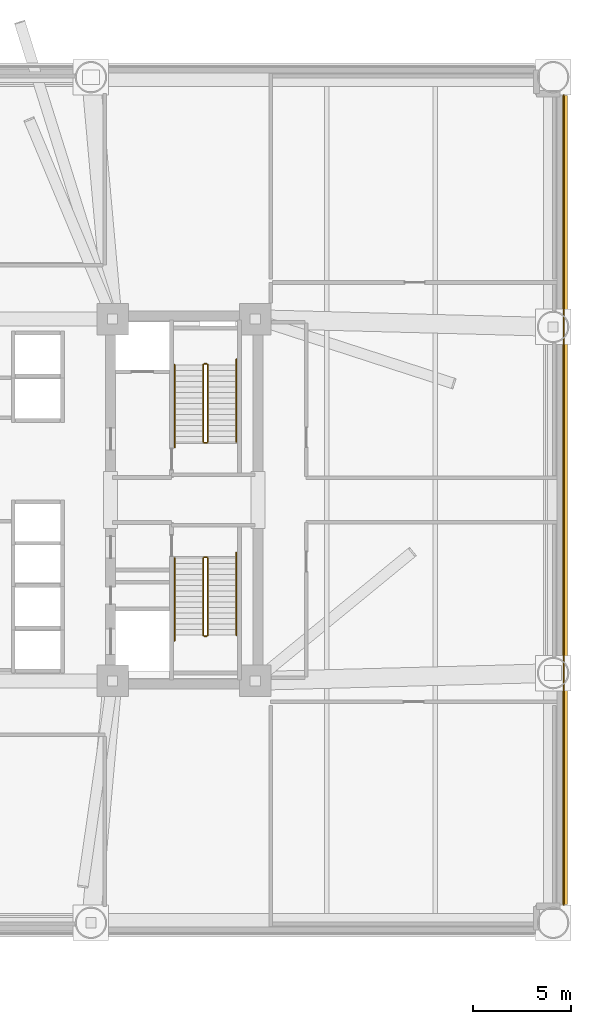
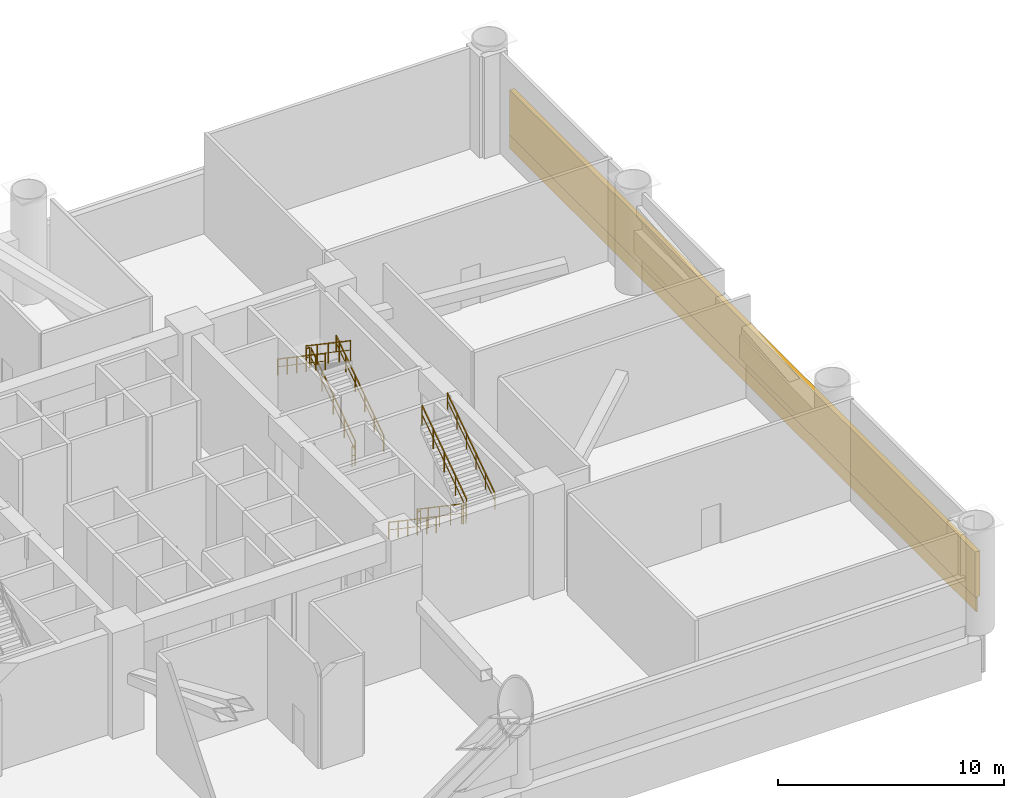
# One storey, part 9 of 10: 12 railings, 1 covering, 1 shading device.
"""IFC4 building model written with IfcOpenShell, lengths in metres."""

from ifc_helpers import new_model, si_unit, direction, frame, origin, origin_2d, place, context, subcontext, project, spatial, rectangle, extrude, source, transform, mapped, material, layer, layer_set, type_object, element, save


model = new_model("IFC4")

# Units and contexts
model_context = context("Model", 3, precision=1e-05, world=origin(), true_north=direction((0.0, 1.0)))
body_context = subcontext(model_context, "Body", "Model", "MODEL_VIEW")
ifc_project = project(units=[si_unit("LENGTHUNIT", "METRE"), si_unit("AREAUNIT", "SQUARE_METRE"), si_unit("VOLUMEUNIT", "CUBIC_METRE"), si_unit("PLANEANGLEUNIT", "RADIAN"), si_unit("MASSUNIT", "GRAM", prefix="KILO")], contexts=[model_context])

# Site, building, storey
site_placement = place(None, origin())
site = spatial("IfcSite", under=ifc_project, at=site_placement, CompositionType="ELEMENT")
building_placement = place(site_placement, origin())
building = spatial("IfcBuilding", under=site, at=building_placement, Name="Zahravan Cultural Tower", CompositionType="ELEMENT")
storey_placement = place(building_placement, frame((0.0, 0.0, 23.39990234375)))
storey = spatial("IfcBuildingStorey", under=building, at=storey_placement, Name="L04", CompositionType="ELEMENT", Elevation=23.39990234375)

# Railings
ifc_material_1 = material(Name="Steel ASTM A572 Grade 50", Category="steel")
railing_type_1 = type_object("IfcRailingType", Name="RL-STAIR-GRD1150", PredefinedType="BALUSTRADE", material=ifc_material_1)
railing_1_placement = place(storey_placement, frame((47.949951171875, 29.949951171875, 0.190185546875)))
element("IfcRailing", 1, at=railing_1_placement, inside=storey, type_object=railing_type_1, Name="L04 ST-E1 stair guard 1", PredefinedType="BALUSTRADE", context=body_context, shape_type="SweptSolid", body=[
    extrude(rectangle(XDim=0.05, YDim=0.05, at=origin_2d()), frame((0.0, 0.0, 1.0751953125), z_axis=(0.0, 0.827495442652, 0.56147243244), x_axis=(-1.0, 0.0, 0.0)), (0.0, 0.0, 1.0), 4.7373046875),
    extrude(rectangle(XDim=0.032, YDim=0.032, at=origin_2d()), frame((0.0, 0.0, 0.572021484375), z_axis=(0.0, 0.827495442652, 0.56147243244), x_axis=(-1.0, 0.0, 0.0)), (0.0, 0.0, 1.0), 4.7373046875),
    extrude(rectangle(XDim=0.04, YDim=0.04, at=origin_2d()), origin(), (0.0, 0.0, 1.0), 1.10009765625),
    extrude(rectangle(XDim=0.04, YDim=0.04, at=origin_2d()), frame((0.0, 0.97998046875, 0.6650390625)), (0.0, 0.0, 1.0), 1.10009765625),
    extrude(rectangle(XDim=0.04, YDim=0.04, at=origin_2d()), frame((0.0, 1.9599609375, 1.330078125)), (0.0, 0.0, 1.0), 1.10009765625),
    extrude(rectangle(XDim=0.04, YDim=0.04, at=origin_2d()), frame((0.0, 2.940185546875, 1.994873046875)), (0.0, 0.0, 1.0), 1.10009765625),
    extrude(rectangle(XDim=0.04, YDim=0.04, at=origin_2d()), frame((0.0, 3.920166015625, 2.659912109375)), (0.0, 0.0, 1.0), 1.10009765625),
])
railing_2_placement = place(storey_placement, frame((47.89990234375, 33.919921875, 2.85009765625)))
element("IfcRailing", 2, at=railing_2_placement, inside=storey, type_object=railing_type_1, Name="L04 ST-E1 stair guard 2", PredefinedType="BALUSTRADE", context=body_context, shape_type="SweptSolid", body=[
    extrude(rectangle(XDim=0.05, YDim=0.05, at=origin_2d()), frame((0.0, 0.0, 1.0751953125), z_axis=(-1.0, 0.0, 0.0), x_axis=(0.0, -1.0, 0.0)), (0.0, 0.0, 1.0), 0.14990234375),
    extrude(rectangle(XDim=0.032, YDim=0.032, at=origin_2d()), frame((0.0, 0.0, 0.572021484375), z_axis=(-1.0, 0.0, 0.0), x_axis=(0.0, -1.0, 0.0)), (0.0, 0.0, 1.0), 0.14990234375),
    extrude(rectangle(XDim=0.04, YDim=0.04, at=origin_2d()), origin(), (0.0, 0.0, 1.0), 1.10009765625),
    extrude(rectangle(XDim=0.04, YDim=0.04, at=origin_2d()), frame((-0.14990234375, 0.0, 0.0)), (0.0, 0.0, 1.0), 1.10009765625),
])
railing_3_placement = place(storey_placement, frame((47.699951171875, 33.8701171875, 3.0400390625)))
element("IfcRailing", 3, at=railing_3_placement, inside=storey, type_object=railing_type_1, Name="L04 ST-E1 stair guard 3", PredefinedType="BALUSTRADE", context=body_context, shape_type="SweptSolid", body=[
    extrude(rectangle(XDim=0.05, YDim=0.05, at=origin_2d()), frame((0.0, 0.0, 1.0751953125), z_axis=(0.0, -0.827471498672, 0.561507719346), x_axis=(1.0, 0.0, 0.0)), (0.0, 0.0, 1.0), 4.737548828125),
    extrude(rectangle(XDim=0.032, YDim=0.032, at=origin_2d()), frame((0.0, 0.0, 0.572021484375), z_axis=(0.0, -0.827471498672, 0.561507719346), x_axis=(1.0, 0.0, 0.0)), (0.0, 0.0, 1.0), 4.737548828125),
    extrude(rectangle(XDim=0.04, YDim=0.04, at=origin_2d()), origin(), (0.0, 0.0, 1.0), 1.10009765625),
    extrude(rectangle(XDim=0.04, YDim=0.04, at=origin_2d()), frame((0.0, -0.97998046875, 0.6650390625)), (0.0, 0.0, 1.0), 1.10009765625),
    extrude(rectangle(XDim=0.04, YDim=0.04, at=origin_2d()), frame((0.0, -1.9599609375, 1.330078125)), (0.0, 0.0, 1.0), 1.10009765625),
    extrude(rectangle(XDim=0.04, YDim=0.04, at=origin_2d()), frame((0.0, -2.940185546875, 1.9951171875)), (0.0, 0.0, 1.0), 1.10009765625),
    extrude(rectangle(XDim=0.04, YDim=0.04, at=origin_2d()), frame((0.0, -3.920166015625, 2.66015625)), (0.0, 0.0, 1.0), 1.10009765625),
])
railing_4_placement = place(storey_placement, frame((47.89990234375, 29.89990234375, 0.0)))
element("IfcRailing", 4, at=railing_4_placement, inside=storey, type_object=railing_type_1, Name="L04 ST-E1 stair guard 4", PredefinedType="BALUSTRADE", context=body_context, shape_type="SweptSolid", body=[
    extrude(rectangle(XDim=0.05, YDim=0.05, at=origin_2d()), frame((0.0, 0.0, 1.0751953125), z_axis=(-1.0, 0.0, 0.0), x_axis=(0.0, -1.0, 0.0)), (0.0, 0.0, 1.0), 0.14990234375),
    extrude(rectangle(XDim=0.032, YDim=0.032, at=origin_2d()), frame((0.0, 0.0, 0.572021484375), z_axis=(-1.0, 0.0, 0.0), x_axis=(0.0, -1.0, 0.0)), (0.0, 0.0, 1.0), 0.14990234375),
    extrude(rectangle(XDim=0.04, YDim=0.04, at=origin_2d()), origin(), (0.0, 0.0, 1.0), 1.10009765625),
    extrude(rectangle(XDim=0.04, YDim=0.04, at=origin_2d()), frame((-0.14990234375, 0.0, 0.0)), (0.0, 0.0, 1.0), 1.10009765625),
])
railing_5_placement = place(storey_placement, frame((47.699951171875, 24.050048828125, 0.190185546875)))
element("IfcRailing", 5, at=railing_5_placement, inside=storey, type_object=railing_type_1, Name="L04 ST-E2 stair guard 1", PredefinedType="BALUSTRADE", context=body_context, shape_type="SweptSolid", body=[
    extrude(rectangle(XDim=0.05, YDim=0.05, at=origin_2d()), frame((0.0, 0.0, 1.0751953125), z_axis=(0.0, -0.827495442652, 0.56147243244), x_axis=(1.0, 0.0, 0.0)), (0.0, 0.0, 1.0), 4.7373046875),
    extrude(rectangle(XDim=0.032, YDim=0.032, at=origin_2d()), frame((0.0, 0.0, 0.572021484375), z_axis=(0.0, -0.827495442652, 0.56147243244), x_axis=(1.0, 0.0, 0.0)), (0.0, 0.0, 1.0), 4.7373046875),
    extrude(rectangle(XDim=0.04, YDim=0.04, at=origin_2d()), origin(), (0.0, 0.0, 1.0), 1.10009765625),
    extrude(rectangle(XDim=0.04, YDim=0.04, at=origin_2d()), frame((0.0, -0.97998046875, 0.6650390625)), (0.0, 0.0, 1.0), 1.10009765625),
    extrude(rectangle(XDim=0.04, YDim=0.04, at=origin_2d()), frame((0.0, -1.9599609375, 1.330078125)), (0.0, 0.0, 1.0), 1.10009765625),
    extrude(rectangle(XDim=0.04, YDim=0.04, at=origin_2d()), frame((0.0, -2.940185546875, 1.994873046875)), (0.0, 0.0, 1.0), 1.10009765625),
    extrude(rectangle(XDim=0.04, YDim=0.04, at=origin_2d()), frame((0.0, -3.920166015625, 2.659912109375)), (0.0, 0.0, 1.0), 1.10009765625),
])
railing_6_placement = place(storey_placement, frame((47.75, 20.080078125, 2.85009765625)))
element("IfcRailing", 6, at=railing_6_placement, inside=storey, type_object=railing_type_1, Name="L04 ST-E2 stair guard 2", PredefinedType="BALUSTRADE", context=body_context, shape_type="SweptSolid", body=[
    extrude(rectangle(XDim=0.05, YDim=0.05, at=origin_2d()), frame((0.0, 0.0, 1.0751953125), z_axis=(1.0, 0.0, 0.0), x_axis=(0.0, 1.0, 0.0)), (0.0, 0.0, 1.0), 0.14990234375),
    extrude(rectangle(XDim=0.032, YDim=0.032, at=origin_2d()), frame((0.0, 0.0, 0.572021484375), z_axis=(1.0, 0.0, 0.0), x_axis=(0.0, 1.0, 0.0)), (0.0, 0.0, 1.0), 0.14990234375),
    extrude(rectangle(XDim=0.04, YDim=0.04, at=origin_2d()), origin(), (0.0, 0.0, 1.0), 1.10009765625),
    extrude(rectangle(XDim=0.04, YDim=0.04, at=origin_2d()), frame((0.14990234375, 0.0, 0.0)), (0.0, 0.0, 1.0), 1.10009765625),
])
railing_7_placement = place(storey_placement, frame((47.949951171875, 20.1298828125, 3.0400390625)))
element("IfcRailing", 7, at=railing_7_placement, inside=storey, type_object=railing_type_1, Name="L04 ST-E2 stair guard 3", PredefinedType="BALUSTRADE", context=body_context, shape_type="SweptSolid", body=[
    extrude(rectangle(XDim=0.05, YDim=0.05, at=origin_2d()), frame((0.0, 0.0, 1.0751953125), z_axis=(0.0, 0.827471498672, 0.561507719346), x_axis=(-1.0, 0.0, 0.0)), (0.0, 0.0, 1.0), 4.737548828125),
    extrude(rectangle(XDim=0.032, YDim=0.032, at=origin_2d()), frame((0.0, 0.0, 0.572021484375), z_axis=(0.0, 0.827471498672, 0.561507719346), x_axis=(-1.0, 0.0, 0.0)), (0.0, 0.0, 1.0), 4.737548828125),
    extrude(rectangle(XDim=0.04, YDim=0.04, at=origin_2d()), origin(), (0.0, 0.0, 1.0), 1.10009765625),
    extrude(rectangle(XDim=0.04, YDim=0.04, at=origin_2d()), frame((0.0, 0.97998046875, 0.6650390625)), (0.0, 0.0, 1.0), 1.10009765625),
    extrude(rectangle(XDim=0.04, YDim=0.04, at=origin_2d()), frame((0.0, 1.9599609375, 1.330078125)), (0.0, 0.0, 1.0), 1.10009765625),
    extrude(rectangle(XDim=0.04, YDim=0.04, at=origin_2d()), frame((0.0, 2.940185546875, 1.9951171875)), (0.0, 0.0, 1.0), 1.10009765625),
    extrude(rectangle(XDim=0.04, YDim=0.04, at=origin_2d()), frame((0.0, 3.920166015625, 2.66015625)), (0.0, 0.0, 1.0), 1.10009765625),
])
railing_8_placement = place(storey_placement, frame((47.75, 24.10009765625, 0.0)))
element("IfcRailing", 8, at=railing_8_placement, inside=storey, type_object=railing_type_1, Name="L04 ST-E2 stair guard 4", PredefinedType="BALUSTRADE", context=body_context, shape_type="SweptSolid", body=[
    extrude(rectangle(XDim=0.05, YDim=0.05, at=origin_2d()), frame((0.0, 0.0, 1.0751953125), z_axis=(1.0, 0.0, 0.0), x_axis=(0.0, 1.0, 0.0)), (0.0, 0.0, 1.0), 0.14990234375),
    extrude(rectangle(XDim=0.032, YDim=0.032, at=origin_2d()), frame((0.0, 0.0, 0.572021484375), z_axis=(1.0, 0.0, 0.0), x_axis=(0.0, 1.0, 0.0)), (0.0, 0.0, 1.0), 0.14990234375),
    extrude(rectangle(XDim=0.04, YDim=0.04, at=origin_2d()), origin(), (0.0, 0.0, 1.0), 1.10009765625),
    extrude(rectangle(XDim=0.04, YDim=0.04, at=origin_2d()), frame((0.14990234375, 0.0, 0.0)), (0.0, 0.0, 1.0), 1.10009765625),
])
railing_type_2 = type_object("IfcRailingType", Name="RL-STAIR-HR900", PredefinedType="HANDRAIL", material=ifc_material_1)
railing_9_placement = place(storey_placement, frame((49.39990234375, 29.949951171875, 0.190185546875)))
element("IfcRailing", 9, at=railing_9_placement, inside=storey, type_object=railing_type_2, Name="L04 ST-E1 stair handrail 1", PredefinedType="HANDRAIL", context=body_context, shape_type="SweptSolid", body=[
    extrude(rectangle(XDim=0.05, YDim=0.05, at=origin_2d()), frame((0.0, 0.0, 0.875), z_axis=(0.0, 0.827486150682, 0.561486126659), x_axis=(-1.0, 0.0, 0.0)), (0.0, 0.0, 1.0), 5.075439453125),
    extrude(rectangle(XDim=0.032, YDim=0.032, at=origin_2d()), frame((0.0, 0.0, 0.468017578125), z_axis=(0.0, 0.827486150682, 0.561486126659), x_axis=(-1.0, 0.0, 0.0)), (0.0, 0.0, 1.0), 5.075439453125),
    extrude(rectangle(XDim=0.04, YDim=0.04, at=origin_2d()), origin(), (0.0, 0.0, 1.0), 0.89990234375),
    extrude(rectangle(XDim=0.04, YDim=0.04, at=origin_2d()), frame((0.0, 0.840087890625, 0.570068359375)), (0.0, 0.0, 1.0), 0.89990234375),
    extrude(rectangle(XDim=0.04, YDim=0.04, at=origin_2d()), frame((0.0, 1.679931640625, 1.139892578125)), (0.0, 0.0, 1.0), 0.89990234375),
    extrude(rectangle(XDim=0.04, YDim=0.04, at=origin_2d()), frame((0.0, 2.52001953125, 1.7099609375)), (0.0, 0.0, 1.0), 0.89990234375),
    extrude(rectangle(XDim=0.04, YDim=0.04, at=origin_2d()), frame((0.0, 3.35986328125, 2.27978515625)), (0.0, 0.0, 1.0), 0.89990234375),
    extrude(rectangle(XDim=0.04, YDim=0.04, at=origin_2d()), frame((0.0, 4.199951171875, 2.849853515625)), (0.0, 0.0, 1.0), 0.89990234375),
])
railing_10_placement = place(storey_placement, frame((46.25, 33.8701171875, 3.0400390625)))
element("IfcRailing", 10, at=railing_10_placement, inside=storey, type_object=railing_type_2, Name="L04 ST-E1 stair handrail 2", PredefinedType="HANDRAIL", context=body_context, shape_type="SweptSolid", body=[
    extrude(rectangle(XDim=0.05, YDim=0.05, at=origin_2d()), frame((0.0, 0.0, 0.875), z_axis=(0.0, -0.827478966913, 0.56149671354), x_axis=(1.0, 0.0, 0.0)), (0.0, 0.0, 1.0), 5.075927734375),
    extrude(rectangle(XDim=0.032, YDim=0.032, at=origin_2d()), frame((0.0, 0.0, 0.468017578125), z_axis=(0.0, -0.827478966913, 0.56149671354), x_axis=(1.0, 0.0, 0.0)), (0.0, 0.0, 1.0), 5.075927734375),
    extrude(rectangle(XDim=0.04, YDim=0.04, at=origin_2d()), origin(), (0.0, 0.0, 1.0), 0.89990234375),
    extrude(rectangle(XDim=0.04, YDim=0.04, at=origin_2d()), frame((0.0, -0.840087890625, 0.570068359375)), (0.0, 0.0, 1.0), 0.89990234375),
    extrude(rectangle(XDim=0.04, YDim=0.04, at=origin_2d()), frame((0.0, -1.68017578125, 1.14013671875)), (0.0, 0.0, 1.0), 0.89990234375),
    extrude(rectangle(XDim=0.04, YDim=0.04, at=origin_2d()), frame((0.0, -2.52001953125, 1.7099609375)), (0.0, 0.0, 1.0), 0.89990234375),
    extrude(rectangle(XDim=0.04, YDim=0.04, at=origin_2d()), frame((0.0, -3.360107421875, 2.280029296875)), (0.0, 0.0, 1.0), 0.89990234375),
    extrude(rectangle(XDim=0.04, YDim=0.04, at=origin_2d()), frame((0.0, -4.2001953125, 2.85009765625)), (0.0, 0.0, 1.0), 0.89990234375),
])
railing_11_placement = place(storey_placement, frame((46.25, 24.050048828125, 0.190185546875)))
element("IfcRailing", 11, at=railing_11_placement, inside=storey, type_object=railing_type_2, Name="L04 ST-E2 stair handrail 1", PredefinedType="HANDRAIL", context=body_context, shape_type="SweptSolid", body=[
    extrude(rectangle(XDim=0.05, YDim=0.05, at=origin_2d()), frame((0.0, 0.0, 0.875), z_axis=(0.0, -0.827486150682, 0.561486126659), x_axis=(1.0, 0.0, 0.0)), (0.0, 0.0, 1.0), 5.075439453125),
    extrude(rectangle(XDim=0.032, YDim=0.032, at=origin_2d()), frame((0.0, 0.0, 0.468017578125), z_axis=(0.0, -0.827486150682, 0.561486126659), x_axis=(1.0, 0.0, 0.0)), (0.0, 0.0, 1.0), 5.075439453125),
    extrude(rectangle(XDim=0.04, YDim=0.04, at=origin_2d()), origin(), (0.0, 0.0, 1.0), 0.89990234375),
    extrude(rectangle(XDim=0.04, YDim=0.04, at=origin_2d()), frame((0.0, -0.840087890625, 0.570068359375)), (0.0, 0.0, 1.0), 0.89990234375),
    extrude(rectangle(XDim=0.04, YDim=0.04, at=origin_2d()), frame((0.0, -1.679931640625, 1.139892578125)), (0.0, 0.0, 1.0), 0.89990234375),
    extrude(rectangle(XDim=0.04, YDim=0.04, at=origin_2d()), frame((0.0, -2.52001953125, 1.7099609375)), (0.0, 0.0, 1.0), 0.89990234375),
    extrude(rectangle(XDim=0.04, YDim=0.04, at=origin_2d()), frame((0.0, -3.35986328125, 2.27978515625)), (0.0, 0.0, 1.0), 0.89990234375),
    extrude(rectangle(XDim=0.04, YDim=0.04, at=origin_2d()), frame((0.0, -4.199951171875, 2.849853515625)), (0.0, 0.0, 1.0), 0.89990234375),
])
railing_12_placement = place(storey_placement, frame((49.39990234375, 20.1298828125, 3.0400390625)))
element("IfcRailing", 12, at=railing_12_placement, inside=storey, type_object=railing_type_2, Name="L04 ST-E2 stair handrail 2", PredefinedType="HANDRAIL", context=body_context, shape_type="SweptSolid", body=[
    extrude(rectangle(XDim=0.05, YDim=0.05, at=origin_2d()), frame((0.0, 0.0, 0.875), z_axis=(0.0, 0.827478966913, 0.56149671354), x_axis=(-1.0, 0.0, 0.0)), (0.0, 0.0, 1.0), 5.075927734375),
    extrude(rectangle(XDim=0.032, YDim=0.032, at=origin_2d()), frame((0.0, 0.0, 0.468017578125), z_axis=(0.0, 0.827478966913, 0.56149671354), x_axis=(-1.0, 0.0, 0.0)), (0.0, 0.0, 1.0), 5.075927734375),
    extrude(rectangle(XDim=0.04, YDim=0.04, at=origin_2d()), origin(), (0.0, 0.0, 1.0), 0.89990234375),
    extrude(rectangle(XDim=0.04, YDim=0.04, at=origin_2d()), frame((0.0, 0.840087890625, 0.570068359375)), (0.0, 0.0, 1.0), 0.89990234375),
    extrude(rectangle(XDim=0.04, YDim=0.04, at=origin_2d()), frame((0.0, 1.68017578125, 1.14013671875)), (0.0, 0.0, 1.0), 0.89990234375),
    extrude(rectangle(XDim=0.04, YDim=0.04, at=origin_2d()), frame((0.0, 2.52001953125, 1.7099609375)), (0.0, 0.0, 1.0), 0.89990234375),
    extrude(rectangle(XDim=0.04, YDim=0.04, at=origin_2d()), frame((0.0, 3.360107421875, 2.280029296875)), (0.0, 0.0, 1.0), 0.89990234375),
    extrude(rectangle(XDim=0.04, YDim=0.04, at=origin_2d()), frame((0.0, 4.2001953125, 2.85009765625)), (0.0, 0.0, 1.0), 0.89990234375),
])

# Covering
ifc_material_2 = material(Name="Terracotta ceramic cladding", Category="masonry")
ifc_layer = layer(ifc_material_2, 0.06005859375)
ifc_layer_set = layer_set([ifc_layer], Name="Terracotta ceramic cladding")
covering_type = type_object("IfcCoveringType", Name="COV-CLAD-TC60", PredefinedType="CLADDING", material=ifc_layer_set)
shared_shape_1 = source(origin(), body_context, "Body", "SweptSolid", [
    extrude(rectangle(XDim=41.219970703125, YDim=0.06005859375, at=origin_2d()), origin(), (0.0, 0.0, 1.0), 0.760009765625),
])
covering_placement = place(storey_placement, frame((66.044921875, 27.0, 0.02001953125), z_axis=(0.0, 0.0, 1.0), x_axis=(0.0, -1.0, 0.0)))
element("IfcCovering", 13, at=covering_placement, inside=storey, type_object=covering_type, Name="L04 Terracotta Spandrel Cladding 01", PredefinedType="CLADDING", context=body_context, shape_type="MappedRepresentation", body=[
    mapped(shared_shape_1, transform((0.0, 0.0, 0.0), x_axis=(1.0, 0.0, 0.0), y_axis=(0.0, 1.0, 0.0), z_axis=(0.0, 0.0, 1.0), scale=1.0)),
])

# Shading device
ifc_material_3 = material(Name="Architectural terracotta fin", Category="masonry")
shading_device_type = type_object("IfcShadingDeviceType", Name="SHD-LOUVRE-BAND", PredefinedType="JALOUSIE", material=ifc_material_3)
shared_shape_2 = source(origin(), body_context, "Body", "SweptSolid", [
    extrude(rectangle(XDim=41.1201171875, YDim=0.239990234375, at=origin_2d()), origin(), (0.0, 0.0, 1.0), 2.44189453125),
])
shading_device_placement = place(storey_placement, frame((66.110107421875, 27.0, 0.780029296875), z_axis=(0.0, 0.0, 1.0), x_axis=(0.0, -1.0, 0.0)))
element("IfcShadingDevice", 14, at=shading_device_placement, inside=storey, type_object=shading_device_type, Name="L04 Terracotta Acoustic Louvre 01", PredefinedType="JALOUSIE", context=body_context, shape_type="MappedRepresentation", body=[
    mapped(shared_shape_2, transform((0.0, 0.0, 0.0), x_axis=(1.0, 0.0, 0.0), y_axis=(0.0, 1.0, 0.0), z_axis=(0.0, 0.0, 1.0), scale=1.0)),
])

save(model, "model.ifc")
